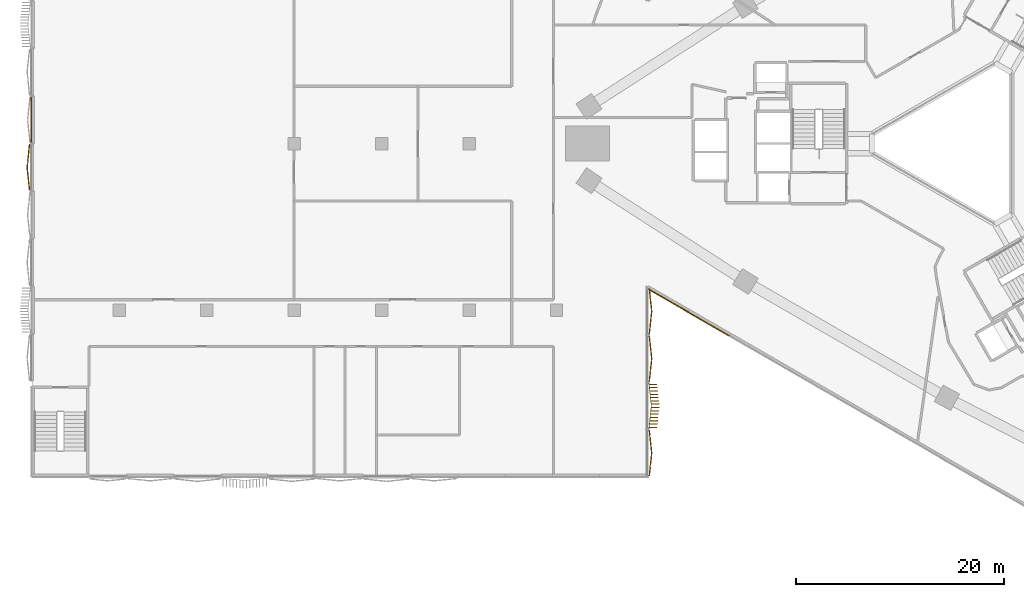
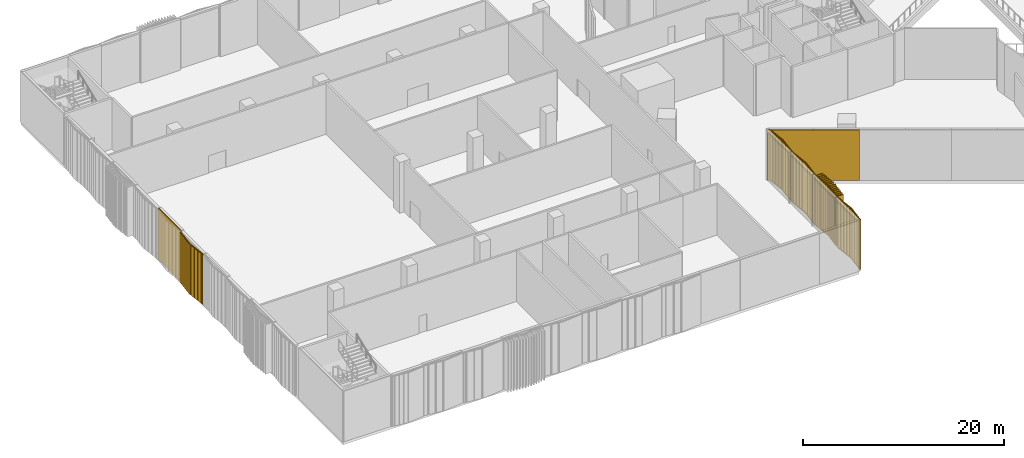
# One storey, part 24 of 32: 7 coverings.
"""IFC4 building model written with IfcOpenShell, lengths in metres."""

import ifcopenshell
import ifcopenshell.guid

model = None  # the IFC model being written
_history = None  # IfcOwnerHistory: only IFC2X3 demands one
_inside = {}  # id of a spatial element -> (the spatial element, [elements in it])
_under = {}  # id of a project, library or spatial element -> (it, [spatial elements below it])
_declared = {}  # id of a project -> (the project, [libraries it declares])
_typed = {}  # id of a type object -> (the type object, [elements of that type])
_made_of = {}  # id of a material, layer set ... -> (it, [elements and type objects made of it])


def new_model(schema):
    """Start an empty IFC model of exactly this schema.

    Asked for "IFC4X3", IfcOpenShell would pick the latest addendum, in which some entities
    have other attributes; the version numbers below select the first issue.
    IFC2X3 requires an IfcOwnerHistory on every rooted entity: one is made here for all.
    """
    global model, _history
    if schema == "IFC4X3":
        model = ifcopenshell.file(schema_version=(4, 3, 0, 0))
    else:
        model = ifcopenshell.file(schema=schema)
    _inside.clear()
    _under.clear()
    _declared.clear()
    _typed.clear()
    _made_of.clear()
    _history = None
    if model.schema == "IFC2X3":
        org = make("IfcOrganization", Name="unknown")
        user = make(
            "IfcPersonAndOrganization",
            ThePerson=make("IfcPerson", FamilyName="unknown"),
            TheOrganization=org,
        )
        app = make(
            "IfcApplication",
            ApplicationDeveloper=org,
            Version="unknown",
            ApplicationFullName="unknown",
            ApplicationIdentifier="unknown",
        )
        _history = make(
            "IfcOwnerHistory",
            OwningUser=user,
            OwningApplication=app,
            ChangeAction="ADDED",
            CreationDate=0,
        )
    return model


def make(cls, **values):
    """One entity of the class cls with the attributes given. An attribute that is None is left unset."""
    return model.create_entity(
        cls, **{name: value for name, value in values.items() if value is not None}
    )


def rooted(cls, **values):
    """An entity with a GlobalId (a new one), such as an element, a storey or a relation."""
    return make(cls, GlobalId=ifcopenshell.guid.new(), OwnerHistory=_history, **values)


def si_unit(unit_type, name, prefix=None):
    """IfcSIUnit, for example si_unit("LENGTHUNIT", "METRE", prefix="MILLI")."""
    return make("IfcSIUnit", UnitType=unit_type, Prefix=prefix, Name=name)


def assignment(units):
    """IfcUnitAssignment: the units of a project."""
    return None if units is None else make("IfcUnitAssignment", Units=units)


def point(xyz):
    """IfcCartesianPoint."""
    return None if xyz is None else make("IfcCartesianPoint", Coordinates=xyz)


def direction(xyz):
    """IfcDirection."""
    return None if xyz is None else make("IfcDirection", DirectionRatios=xyz)


def frame(location, z_axis=None, x_axis=None):
    """IfcAxis2Placement3D, a coordinate frame: its origin and axes. An axis left out is left unset."""
    return make(
        "IfcAxis2Placement3D",
        Location=point(location),
        Axis=direction(z_axis),
        RefDirection=direction(x_axis),
    )


def frame_2d(location, x_axis=None):
    """IfcAxis2Placement2D, a coordinate frame in the plane: its origin and x axis."""
    return make(
        "IfcAxis2Placement2D", Location=point(location), RefDirection=direction(x_axis)
    )


def origin():
    """The frame at (0, 0, 0) with its axes left unset."""
    return frame((0.0, 0.0, 0.0))


def origin_2d():
    """The frame at (0, 0) in the plane with its x axis left unset."""
    return frame_2d((0.0, 0.0))


def place(relative_to, where):
    """IfcLocalPlacement: puts the frame where relative to a parent placement (None: the world)."""
    return make(
        "IfcLocalPlacement", PlacementRelTo=relative_to, RelativePlacement=where
    )


def context(
    kind, dimensions, precision=None, world=None, true_north=None, identifier=None
):
    """IfcGeometricRepresentationContext, for example the 3D "Model" context."""
    return make(
        "IfcGeometricRepresentationContext",
        ContextIdentifier=identifier,
        ContextType=kind,
        CoordinateSpaceDimension=dimensions,
        Precision=precision,
        WorldCoordinateSystem=world,
        TrueNorth=true_north,
    )


def subcontext(parent, identifier, kind, view, scale=None):
    """IfcGeometricRepresentationSubContext, for example "Body" below "Model"."""
    return make(
        "IfcGeometricRepresentationSubContext",
        ContextIdentifier=identifier,
        ContextType=kind,
        ParentContext=parent,
        TargetScale=scale,
        TargetView=view,
    )


def project(units=None, contexts=None):
    """IfcProject with its units and contexts."""
    return rooted(
        "IfcProject",
        Name="project",
        RepresentationContexts=contexts,
        UnitsInContext=assignment(units),
    )


def spatial(cls, under=None, at=None, **own):
    """A site, building, storey or space (cls), placed at a placement, below another one or the project."""
    s = rooted(cls, ObjectPlacement=at, **own)
    if under is not None:
        _under.setdefault(under.id(), (under, []))[1].append(s)
    return s


def profile(cls, at=None, kind="AREA", **sizes):
    """A parametric profile (cls). Its sizes go by their IFC names, for example OverallWidth=200.0."""
    return make(cls, ProfileType=kind, Position=at, **sizes)


def rectangle(**sizes):
    """IfcRectangleProfileDef."""
    return profile("IfcRectangleProfileDef", **sizes)


def extrude(swept, where, along, depth):
    """IfcExtrudedAreaSolid: the profile swept, set in the frame where, extruded along a direction by depth."""
    return make(
        "IfcExtrudedAreaSolid",
        SweptArea=swept,
        Position=where,
        ExtrudedDirection=direction(along),
        Depth=depth,
    )


def shape(context_of_items, identifier, shape_type, items):
    """IfcShapeRepresentation: the items that make up one representation, for example the "Body"."""
    return make(
        "IfcShapeRepresentation",
        ContextOfItems=context_of_items,
        RepresentationIdentifier=identifier,
        RepresentationType=shape_type,
        Items=items,
    )


def source(mapping_origin, context_of_items, identifier, shape_type, items):
    """IfcRepresentationMap: a shape defined once, which mapped items show again and again."""
    return make(
        "IfcRepresentationMap",
        MappingOrigin=mapping_origin,
        MappedRepresentation=shape(context_of_items, identifier, shape_type, items),
    )


def transform(
    local_origin,
    x_axis=None,
    y_axis=None,
    z_axis=None,
    scale=None,
    scale2=None,
    scale3=None,
    uniform=True,
):
    """IfcCartesianTransformationOperator3D, or its non-uniform kind. x_axis, y_axis, z_axis: its Axis1, 2, 3."""
    if uniform:
        return make(
            "IfcCartesianTransformationOperator3D",
            Axis1=direction(x_axis),
            Axis2=direction(y_axis),
            LocalOrigin=point(local_origin),
            Scale=scale,
            Axis3=direction(z_axis),
        )
    return make(
        "IfcCartesianTransformationOperator3DnonUniform",
        Axis1=direction(x_axis),
        Axis2=direction(y_axis),
        LocalOrigin=point(local_origin),
        Scale=scale,
        Axis3=direction(z_axis),
        Scale2=scale2,
        Scale3=scale3,
    )


def mapped(mapping_source, mapping_target):
    """IfcMappedItem: shows the shape of a source again, moved by a transform."""
    return make(
        "IfcMappedItem", MappingSource=mapping_source, MappingTarget=mapping_target
    )


def material(Name=None, Category=None):
    """IfcMaterial."""
    return make("IfcMaterial", Name=Name, Category=Category)


def layer(
    of_material, thickness, ventilated=None, Name=None, Category=None, Priority=None
):
    """IfcMaterialLayer: one layer of a wall or slab, of a material (None: an air gap)."""
    return make(
        "IfcMaterialLayer",
        Material=of_material,
        LayerThickness=thickness,
        IsVentilated=ventilated,
        Name=Name,
        Category=Category,
        Priority=Priority,
    )


def layer_set(layers, Name=None):
    """IfcMaterialLayerSet."""
    return make("IfcMaterialLayerSet", MaterialLayers=layers, LayerSetName=Name)


def made_of(thing, what):
    """Note that an element or type object is made of a material, layer set ...; save() writes the relation."""
    if what is not None:
        _made_of.setdefault(what.id(), (what, []))[1].append(thing)
    return thing


def type_object(cls, material=None, **own):
    """A type object (cls), such as IfcWallType, which elements share."""
    return made_of(rooted(cls, **own), material)


def element(
    cls,
    number,
    at=None,
    inside=None,
    cuts=None,
    type_object=None,
    material=None,
    context=None,
    identifier="Body",
    shape_type=None,
    held_by="IfcProductDefinitionShape",
    body=None,
    shapes=None,
    **own,
):
    """One element of the class cls, such as IfcWall. Its Tag is "e" and its number.

    at: its placement. inside: the storey or other place that contains it. cuts: it is an
    opening in that element (IfcRelVoidsElement). A single representation is given by context,
    identifier, shape_type and body (its items); several are given by shapes. held_by: the class
    of the entity that holds the representations. save() writes the other relations.
    """
    e = rooted(cls, Tag="e%d" % number, ObjectPlacement=at, **own)
    if body is not None:
        shapes = [shape(context, identifier, shape_type, body)]
    if shapes is not None:
        e.Representation = make(held_by, Representations=shapes)
    if inside is not None:
        _inside.setdefault(inside.id(), (inside, []))[1].append(e)
    if cuts is not None:
        rooted(
            "IfcRelVoidsElement", RelatingBuildingElement=cuts, RelatedOpeningElement=e
        )
    if type_object is not None:
        _typed.setdefault(type_object.id(), (type_object, []))[1].append(e)
    return made_of(e, material)


def aggregate(whole, parts):
    """IfcRelAggregates: a whole, such as a stair, and the parts it consists of."""
    return rooted("IfcRelAggregates", RelatingObject=whole, RelatedObjects=parts)


def save(model, path):
    """Write the relations noted so far, then the file.

    IfcRelAggregates (storeys below a building ...), IfcRelContainedInSpatialStructure (elements
    in a storey), IfcRelDefinesByType, IfcRelAssociatesMaterial and IfcRelDeclares: one each for
    every whole, place, type object, material and project.
    """
    for whole, parts in _under.values():
        aggregate(whole, parts)
    for where, things in _inside.values():
        rooted(
            "IfcRelContainedInSpatialStructure",
            RelatedElements=things,
            RelatingStructure=where,
        )
    for kind, things in _typed.values():
        rooted("IfcRelDefinesByType", RelatedObjects=things, RelatingType=kind)
    for what, things in _made_of.values():
        rooted("IfcRelAssociatesMaterial", RelatedObjects=things, RelatingMaterial=what)
    for by, libraries in _declared.values():
        rooted("IfcRelDeclares", RelatingContext=by, RelatedDefinitions=libraries)
    model.write(path)


model = new_model("IFC4")

# Units and contexts
model_context = context("Model", 3, precision=1e-05, world=origin(), true_north=direction((0.0, 1.0)))
body_context = subcontext(model_context, "Body", "Model", "MODEL_VIEW")
ifc_project = project(units=[si_unit("LENGTHUNIT", "METRE"), si_unit("AREAUNIT", "SQUARE_METRE"), si_unit("VOLUMEUNIT", "CUBIC_METRE"), si_unit("PLANEANGLEUNIT", "RADIAN"), si_unit("MASSUNIT", "GRAM", prefix="KILO")], contexts=[model_context])

# Site, building, storey
site_placement = place(None, origin())
site = spatial("IfcSite", under=ifc_project, at=site_placement, CompositionType="ELEMENT")
building_placement = place(site_placement, origin())
building = spatial("IfcBuilding", under=site, at=building_placement, Name="Tamra Quay Hotel Tower", CompositionType="ELEMENT")
storey_placement = place(building_placement, frame((0.0, 0.0, 7.5)))
storey = spatial("IfcBuildingStorey", under=building, at=storey_placement, Name="L01", CompositionType="ELEMENT", Elevation=7.5)

# Coverings
ifc_material_1 = material(Name="Precast concrete M60 terracotta-coloured pierced relief", Category="masonry")
ifc_layer = layer(ifc_material_1, 0.10009765625)
ifc_layer_set = layer_set([ifc_layer], Name="PIERCED RELIEF PANEL 100")
covering_type_1 = type_object("IfcCoveringType", Name="PIERCED RELIEF PANEL 100", PredefinedType="CLADDING", material=ifc_layer_set)
covering_1_placement = place(storey_placement, frame((-26.070556640625, -16.182861328125, 0.0), z_axis=(0.0, 0.0, 1.0), x_axis=(0.866025403784, -0.5, 0.0)))
element("IfcCovering", 1, at=covering_1_placement, inside=storey, type_object=covering_type_1, Name="Relief panel L01.SW.00", PredefinedType="CLADDING", context=body_context, shape_type="SweptSolid", body=[
    extrude(rectangle(XDim=9.112548828125, YDim=0.10009765625, at=origin_2d()), origin(), (0.0, 0.0, 1.0), 6.14990234375),
])
covering_2_placement = place(storey_placement, frame((-89.14990234375, 2.28564453125, 0.0), z_axis=(0.0, 0.0, 1.0), x_axis=(0.0, -1.0, 0.0)))
element("IfcCovering", 2, at=covering_2_placement, inside=storey, type_object=covering_type_1, Name="Relief panel L01.W.04", PredefinedType="CLADDING", context=body_context, shape_type="SweptSolid", body=[
    extrude(rectangle(XDim=4.551513671875, YDim=0.10009765625, at=origin_2d()), origin(), (0.0, 0.0, 1.0), 6.14990234375),
])
ifc_material_2 = material(Name="Terracotta baguette extruded", Category="masonry")
covering_type_2 = type_object("IfcCoveringType", Name="BAGUETTE SCREEN PODIUM-SHALLOW H6150", PredefinedType="USERDEFINED", material=ifc_material_2)
shared_shape_1 = source(origin(), body_context, "Body", "SweptSolid", [
    extrude(rectangle(XDim=2.234619140625, YDim=0.06005859375, at=frame_2d((1.1171875, 0.030029296875))), frame((-2.228759765625, -0.0576171875, -0.1201171875), z_axis=(0.0, 0.0, 1.0), x_axis=(0.994521895368, -0.104528463268, 0.0)), (0.0, 0.0, 1.0), 0.1201171875),
    extrude(rectangle(XDim=2.234619140625, YDim=0.06005859375, at=frame_2d((1.1171875, 0.030029296875))), frame((-2.228759765625, -0.0576171875, -6.14990234375), z_axis=(0.0, 0.0, 1.0), x_axis=(0.994521895368, -0.104528463268, 0.0)), (0.0, 0.0, 1.0), 0.1201171875),
    extrude(rectangle(XDim=0.094970703125, YDim=0.10009765625, at=frame_2d((0.04736328125, 0.050048828125))), frame((-2.219482421875, -0.13330078125, -6.090087890625)), (0.0, 0.0, 1.0), 6.030029296875),
    extrude(rectangle(XDim=0.094970703125, YDim=0.10009765625, at=frame_2d((0.04736328125, 0.050048828125))), frame((-2.118408203125, -0.14404296875, -6.090087890625)), (0.0, 0.0, 1.0), 6.030029296875),
    extrude(rectangle(XDim=0.094970703125, YDim=0.10009765625, at=frame_2d((0.04736328125, 0.050048828125))), frame((-2.017333984375, -0.154541015625, -6.090087890625)), (0.0, 0.0, 1.0), 6.030029296875),
    extrude(rectangle(XDim=0.094970703125, YDim=0.10009765625, at=frame_2d((0.04736328125, 0.050048828125))), frame((-1.91650390625, -0.1650390625, -6.090087890625)), (0.0, 0.0, 1.0), 6.030029296875),
    extrude(rectangle(XDim=0.094970703125, YDim=0.10009765625, at=frame_2d((0.04736328125, 0.050048828125))), frame((-1.8154296875, -0.17578125, -6.090087890625)), (0.0, 0.0, 1.0), 6.030029296875),
    extrude(rectangle(XDim=0.094970703125, YDim=0.10009765625, at=frame_2d((0.04736328125, 0.050048828125))), frame((-1.71435546875, -0.186279296875, -6.090087890625)), (0.0, 0.0, 1.0), 6.030029296875),
    extrude(rectangle(XDim=0.094970703125, YDim=0.10009765625, at=frame_2d((0.04736328125, 0.050048828125))), frame((-1.61328125, -0.197021484375, -6.090087890625)), (0.0, 0.0, 1.0), 6.030029296875),
    extrude(rectangle(XDim=0.094970703125, YDim=0.10009765625, at=frame_2d((0.04736328125, 0.050048828125))), frame((-1.512451171875, -0.20751953125, -6.090087890625)), (0.0, 0.0, 1.0), 6.030029296875),
    extrude(rectangle(XDim=0.094970703125, YDim=0.10009765625, at=frame_2d((0.04736328125, 0.050048828125))), frame((-1.411376953125, -0.21826171875, -6.090087890625)), (0.0, 0.0, 1.0), 6.030029296875),
    extrude(rectangle(XDim=0.094970703125, YDim=0.10009765625, at=frame_2d((0.04736328125, 0.050048828125))), frame((-1.310302734375, -0.228759765625, -6.090087890625)), (0.0, 0.0, 1.0), 6.030029296875),
    extrude(rectangle(XDim=0.094970703125, YDim=0.10009765625, at=frame_2d((0.04736328125, 0.050048828125))), frame((-1.209228515625, -0.239501953125, -6.090087890625)), (0.0, 0.0, 1.0), 6.030029296875),
    extrude(rectangle(XDim=0.094970703125, YDim=0.10009765625, at=frame_2d((0.04736328125, 0.050048828125))), frame((-1.108154296875, -0.25, -6.090087890625)), (0.0, 0.0, 1.0), 6.030029296875),
    extrude(rectangle(XDim=0.094970703125, YDim=0.10009765625, at=frame_2d((0.04736328125, 0.050048828125))), frame((-1.00732421875, -0.2607421875, -6.090087890625)), (0.0, 0.0, 1.0), 6.030029296875),
    extrude(rectangle(XDim=0.094970703125, YDim=0.10009765625, at=frame_2d((0.04736328125, 0.050048828125))), frame((-0.90625, -0.271240234375, -6.090087890625)), (0.0, 0.0, 1.0), 6.030029296875),
    extrude(rectangle(XDim=0.094970703125, YDim=0.10009765625, at=frame_2d((0.04736328125, 0.050048828125))), frame((-0.80517578125, -0.281982421875, -6.090087890625)), (0.0, 0.0, 1.0), 6.030029296875),
    extrude(rectangle(XDim=0.094970703125, YDim=0.10009765625, at=frame_2d((0.04736328125, 0.050048828125))), frame((-0.7041015625, -0.29248046875, -6.090087890625)), (0.0, 0.0, 1.0), 6.030029296875),
    extrude(rectangle(XDim=0.094970703125, YDim=0.10009765625, at=frame_2d((0.04736328125, 0.050048828125))), frame((-0.60302734375, -0.30322265625, -6.090087890625)), (0.0, 0.0, 1.0), 6.030029296875),
    extrude(rectangle(XDim=0.094970703125, YDim=0.10009765625, at=frame_2d((0.04736328125, 0.050048828125))), frame((-0.502197265625, -0.313720703125, -6.090087890625)), (0.0, 0.0, 1.0), 6.030029296875),
    extrude(rectangle(XDim=0.094970703125, YDim=0.10009765625, at=frame_2d((0.04736328125, 0.050048828125))), frame((-0.401123046875, -0.324462890625, -6.090087890625)), (0.0, 0.0, 1.0), 6.030029296875),
    extrude(rectangle(XDim=0.094970703125, YDim=0.10009765625, at=frame_2d((0.04736328125, 0.050048828125))), frame((-0.300048828125, -0.3349609375, -6.090087890625)), (0.0, 0.0, 1.0), 6.030029296875),
    extrude(rectangle(XDim=0.094970703125, YDim=0.10009765625, at=frame_2d((0.04736328125, 0.050048828125))), frame((-0.198974609375, -0.345703125, -6.090087890625)), (0.0, 0.0, 1.0), 6.030029296875),
    extrude(rectangle(XDim=0.094970703125, YDim=0.10009765625, at=frame_2d((0.04736328125, 0.050048828125))), frame((-0.097900390625, -0.356201171875, -6.090087890625)), (0.0, 0.0, 1.0), 6.030029296875),
    extrude(rectangle(XDim=2.234619140625, YDim=0.06005859375, at=frame_2d((1.1171875, 0.030029296875))), frame((0.00634765625, -0.291259765625, -0.1201171875), z_axis=(0.0, 0.0, 1.0), x_axis=(0.994521895368, 0.104528463268, 0.0)), (0.0, 0.0, 1.0), 0.1201171875),
    extrude(rectangle(XDim=2.234619140625, YDim=0.06005859375, at=frame_2d((1.1171875, 0.030029296875))), frame((0.00634765625, -0.291259765625, -6.14990234375), z_axis=(0.0, 0.0, 1.0), x_axis=(0.994521895368, 0.104528463268, 0.0)), (0.0, 0.0, 1.0), 0.1201171875),
    extrude(rectangle(XDim=0.094970703125, YDim=0.10009765625, at=frame_2d((0.04736328125, 0.050048828125))), frame((0.0029296875, -0.356201171875, -6.090087890625)), (0.0, 0.0, 1.0), 6.030029296875),
    extrude(rectangle(XDim=0.094970703125, YDim=0.10009765625, at=frame_2d((0.04736328125, 0.050048828125))), frame((0.10400390625, -0.345703125, -6.090087890625)), (0.0, 0.0, 1.0), 6.030029296875),
    extrude(rectangle(XDim=0.094970703125, YDim=0.10009765625, at=frame_2d((0.04736328125, 0.050048828125))), frame((0.205078125, -0.3349609375, -6.090087890625)), (0.0, 0.0, 1.0), 6.030029296875),
    extrude(rectangle(XDim=0.094970703125, YDim=0.10009765625, at=frame_2d((0.04736328125, 0.050048828125))), frame((0.30615234375, -0.324462890625, -6.090087890625)), (0.0, 0.0, 1.0), 6.030029296875),
    extrude(rectangle(XDim=0.094970703125, YDim=0.10009765625, at=frame_2d((0.04736328125, 0.050048828125))), frame((0.406982421875, -0.313720703125, -6.090087890625)), (0.0, 0.0, 1.0), 6.030029296875),
    extrude(rectangle(XDim=0.094970703125, YDim=0.10009765625, at=frame_2d((0.04736328125, 0.050048828125))), frame((0.508056640625, -0.30322265625, -6.090087890625)), (0.0, 0.0, 1.0), 6.030029296875),
    extrude(rectangle(XDim=0.094970703125, YDim=0.10009765625, at=frame_2d((0.04736328125, 0.050048828125))), frame((0.609130859375, -0.29248046875, -6.090087890625)), (0.0, 0.0, 1.0), 6.030029296875),
    extrude(rectangle(XDim=0.094970703125, YDim=0.10009765625, at=frame_2d((0.04736328125, 0.050048828125))), frame((0.710205078125, -0.281982421875, -6.090087890625)), (0.0, 0.0, 1.0), 6.030029296875),
    extrude(rectangle(XDim=0.094970703125, YDim=0.10009765625, at=frame_2d((0.04736328125, 0.050048828125))), frame((0.811279296875, -0.271240234375, -6.090087890625)), (0.0, 0.0, 1.0), 6.030029296875),
    extrude(rectangle(XDim=0.094970703125, YDim=0.10009765625, at=frame_2d((0.04736328125, 0.050048828125))), frame((0.912109375, -0.2607421875, -6.090087890625)), (0.0, 0.0, 1.0), 6.030029296875),
    extrude(rectangle(XDim=0.094970703125, YDim=0.10009765625, at=frame_2d((0.04736328125, 0.050048828125))), frame((1.01318359375, -0.25, -6.090087890625)), (0.0, 0.0, 1.0), 6.030029296875),
    extrude(rectangle(XDim=0.094970703125, YDim=0.10009765625, at=frame_2d((0.04736328125, 0.050048828125))), frame((1.1142578125, -0.239501953125, -6.090087890625)), (0.0, 0.0, 1.0), 6.030029296875),
    extrude(rectangle(XDim=0.094970703125, YDim=0.10009765625, at=frame_2d((0.04736328125, 0.050048828125))), frame((1.21533203125, -0.228759765625, -6.090087890625)), (0.0, 0.0, 1.0), 6.030029296875),
    extrude(rectangle(XDim=0.094970703125, YDim=0.10009765625, at=frame_2d((0.04736328125, 0.050048828125))), frame((1.31640625, -0.21826171875, -6.090087890625)), (0.0, 0.0, 1.0), 6.030029296875),
    extrude(rectangle(XDim=0.094970703125, YDim=0.10009765625, at=frame_2d((0.04736328125, 0.050048828125))), frame((1.417236328125, -0.20751953125, -6.090087890625)), (0.0, 0.0, 1.0), 6.030029296875),
    extrude(rectangle(XDim=0.094970703125, YDim=0.10009765625, at=frame_2d((0.04736328125, 0.050048828125))), frame((1.518310546875, -0.197021484375, -6.090087890625)), (0.0, 0.0, 1.0), 6.030029296875),
    extrude(rectangle(XDim=0.094970703125, YDim=0.10009765625, at=frame_2d((0.04736328125, 0.050048828125))), frame((1.619384765625, -0.186279296875, -6.090087890625)), (0.0, 0.0, 1.0), 6.030029296875),
    extrude(rectangle(XDim=0.094970703125, YDim=0.10009765625, at=frame_2d((0.04736328125, 0.050048828125))), frame((1.720458984375, -0.17578125, -6.090087890625)), (0.0, 0.0, 1.0), 6.030029296875),
    extrude(rectangle(XDim=0.094970703125, YDim=0.10009765625, at=frame_2d((0.04736328125, 0.050048828125))), frame((1.821533203125, -0.1650390625, -6.090087890625)), (0.0, 0.0, 1.0), 6.030029296875),
    extrude(rectangle(XDim=0.094970703125, YDim=0.10009765625, at=frame_2d((0.04736328125, 0.050048828125))), frame((1.92236328125, -0.154541015625, -6.090087890625)), (0.0, 0.0, 1.0), 6.030029296875),
    extrude(rectangle(XDim=0.094970703125, YDim=0.10009765625, at=frame_2d((0.04736328125, 0.050048828125))), frame((2.0234375, -0.14404296875, -6.090087890625)), (0.0, 0.0, 1.0), 6.030029296875),
    extrude(rectangle(XDim=0.094970703125, YDim=0.10009765625, at=frame_2d((0.04736328125, 0.050048828125))), frame((2.12451171875, -0.13330078125, -6.090087890625)), (0.0, 0.0, 1.0), 6.030029296875),
])
for number, where, z_axis, x_axis, name in (
    (3, (-29.85205078125, -29.73193359375, 6.14990234375), (0.0, 0.0, 1.0), (0.0, 1.0, 0.0), "Baguette screen L01.E.f00"),
    (4, (-29.85205078125, -20.66015625, 6.14990234375), (0.0, 0.0, 1.0), (0.0, 1.0, 0.0), "Baguette screen L01.E.f02"),
    (5, (-29.85205078125, -16.124267578125, 6.14990234375), (0.0, 0.0, 1.0), (0.0, 1.0, 0.0), "Baguette screen L01.E.f03"),
):
    element("IfcCovering", number, at=place(storey_placement, frame(where, z_axis=z_axis, x_axis=x_axis)), inside=storey, type_object=covering_type_2, Name=name, ObjectType="BAGUETTE SCREEN", PredefinedType="USERDEFINED", context=body_context, shape_type="MappedRepresentation", body=[
        mapped(shared_shape_1, transform((0.0, 0.0, 0.0), scale=1.0)),
    ])
covering_type_3 = type_object("IfcCoveringType", Name="BAGUETTE SCREEN PODIUM-DEEP H6150", PredefinedType="USERDEFINED", material=ifc_material_2)
shared_shape_2 = source(origin(), body_context, "Body", "SweptSolid", [
    extrude(rectangle(XDim=2.234619140625, YDim=0.06005859375, at=frame_2d((1.1171875, 0.030029296875))), frame((-2.228759765625, -0.0576171875, -0.1201171875), z_axis=(0.0, 0.0, 1.0), x_axis=(0.994521895368, -0.104528463268, 0.0)), (0.0, 0.0, 1.0), 0.1201171875),
    extrude(rectangle(XDim=2.234619140625, YDim=0.06005859375, at=frame_2d((1.1171875, 0.030029296875))), frame((-2.228759765625, -0.0576171875, -6.14990234375), z_axis=(0.0, 0.0, 1.0), x_axis=(0.994521895368, -0.104528463268, 0.0)), (0.0, 0.0, 1.0), 0.1201171875),
    extrude(rectangle(XDim=0.10009765625, YDim=0.780029296875, at=frame_2d((0.050048828125, 0.39013671875))), frame((-2.11376953125, -0.82470703125, -6.090087890625)), (0.0, 0.0, 1.0), 6.030029296875),
    extrude(rectangle(XDim=0.10009765625, YDim=0.780029296875, at=frame_2d((0.050048828125, 0.39013671875))), frame((-1.796142578125, -0.858154296875, -6.090087890625)), (0.0, 0.0, 1.0), 6.030029296875),
    extrude(rectangle(XDim=0.10009765625, YDim=0.780029296875, at=frame_2d((0.050048828125, 0.39013671875))), frame((-1.478759765625, -0.891357421875, -6.090087890625)), (0.0, 0.0, 1.0), 6.030029296875),
    extrude(rectangle(XDim=0.10009765625, YDim=0.780029296875, at=frame_2d((0.050048828125, 0.39013671875))), frame((-1.1611328125, -0.9248046875, -6.090087890625)), (0.0, 0.0, 1.0), 6.030029296875),
    extrude(rectangle(XDim=0.10009765625, YDim=0.780029296875, at=frame_2d((0.050048828125, 0.39013671875))), frame((-0.84375, -0.958251953125, -6.090087890625)), (0.0, 0.0, 1.0), 6.030029296875),
    extrude(rectangle(XDim=0.10009765625, YDim=0.780029296875, at=frame_2d((0.050048828125, 0.39013671875))), frame((-0.5263671875, -0.991455078125, -6.090087890625)), (0.0, 0.0, 1.0), 6.030029296875),
    extrude(rectangle(XDim=0.10009765625, YDim=0.780029296875, at=frame_2d((0.050048828125, 0.39013671875))), frame((-0.208740234375, -1.02490234375, -6.090087890625)), (0.0, 0.0, 1.0), 6.030029296875),
    extrude(rectangle(XDim=2.234619140625, YDim=0.06005859375, at=frame_2d((1.1171875, 0.030029296875))), frame((0.00634765625, -0.291259765625, -0.1201171875), z_axis=(0.0, 0.0, 1.0), x_axis=(0.994521895368, 0.104528463268, 0.0)), (0.0, 0.0, 1.0), 0.1201171875),
    extrude(rectangle(XDim=2.234619140625, YDim=0.06005859375, at=frame_2d((1.1171875, 0.030029296875))), frame((0.00634765625, -0.291259765625, -6.14990234375), z_axis=(0.0, 0.0, 1.0), x_axis=(0.994521895368, 0.104528463268, 0.0)), (0.0, 0.0, 1.0), 0.1201171875),
    extrude(rectangle(XDim=0.10009765625, YDim=0.780029296875, at=frame_2d((0.050048828125, 0.39013671875))), frame((0.108642578125, -1.02490234375, -6.090087890625)), (0.0, 0.0, 1.0), 6.030029296875),
    extrude(rectangle(XDim=0.10009765625, YDim=0.780029296875, at=frame_2d((0.050048828125, 0.39013671875))), frame((0.42626953125, -0.991455078125, -6.090087890625)), (0.0, 0.0, 1.0), 6.030029296875),
    extrude(rectangle(XDim=0.10009765625, YDim=0.780029296875, at=frame_2d((0.050048828125, 0.39013671875))), frame((0.74365234375, -0.958251953125, -6.090087890625)), (0.0, 0.0, 1.0), 6.030029296875),
    extrude(rectangle(XDim=0.10009765625, YDim=0.780029296875, at=frame_2d((0.050048828125, 0.39013671875))), frame((1.061279296875, -0.9248046875, -6.090087890625)), (0.0, 0.0, 1.0), 6.030029296875),
    extrude(rectangle(XDim=0.10009765625, YDim=0.780029296875, at=frame_2d((0.050048828125, 0.39013671875))), frame((1.378662109375, -0.891357421875, -6.090087890625)), (0.0, 0.0, 1.0), 6.030029296875),
    extrude(rectangle(XDim=0.10009765625, YDim=0.780029296875, at=frame_2d((0.050048828125, 0.39013671875))), frame((1.6962890625, -0.858154296875, -6.090087890625)), (0.0, 0.0, 1.0), 6.030029296875),
    extrude(rectangle(XDim=0.10009765625, YDim=0.780029296875, at=frame_2d((0.050048828125, 0.39013671875))), frame((2.013671875, -0.82470703125, -6.090087890625)), (0.0, 0.0, 1.0), 6.030029296875),
])
covering_3_placement = place(storey_placement, frame((-29.85205078125, -25.196044921875, 6.14990234375), z_axis=(0.0, 0.0, 1.0), x_axis=(0.0, 1.0, 0.0)))
element("IfcCovering", 6, at=covering_3_placement, inside=storey, type_object=covering_type_3, Name="Baguette screen L01.E.f01", ObjectType="BAGUETTE SCREEN", PredefinedType="USERDEFINED", context=body_context, shape_type="MappedRepresentation", body=[
    mapped(shared_shape_2, transform((0.0, 0.0, 0.0), scale=1.0)),
])
shared_shape_3 = source(origin(), body_context, "Body", "SweptSolid", [
    extrude(rectangle(XDim=2.2548828125, YDim=0.06005859375, at=frame_2d((1.12744140625, 0.030029296875))), frame((-2.248779296875, -0.0576171875, -0.1201171875), z_axis=(0.0, 0.0, 1.0), x_axis=(0.994521895368, -0.104528463268, 0.0)), (0.0, 0.0, 1.0), 0.1201171875),
    extrude(rectangle(XDim=2.2548828125, YDim=0.06005859375, at=frame_2d((1.12744140625, 0.030029296875))), frame((-2.248779296875, -0.0576171875, -6.14990234375), z_axis=(0.0, 0.0, 1.0), x_axis=(0.994521895368, -0.104528463268, 0.0)), (0.0, 0.0, 1.0), 0.1201171875),
    extrude(rectangle(XDim=0.094970703125, YDim=0.10009765625, at=frame_2d((0.04736328125, 0.050048828125))), frame((-2.2412109375, -0.133056640625, -6.090087890625)), (0.0, 0.0, 1.0), 6.030029296875),
    extrude(rectangle(XDim=0.094970703125, YDim=0.10009765625, at=frame_2d((0.04736328125, 0.050048828125))), frame((-2.143798828125, -0.143310546875, -6.090087890625)), (0.0, 0.0, 1.0), 6.030029296875),
    extrude(rectangle(XDim=0.094970703125, YDim=0.10009765625, at=frame_2d((0.04736328125, 0.050048828125))), frame((-2.046142578125, -0.153564453125, -6.090087890625)), (0.0, 0.0, 1.0), 6.030029296875),
    extrude(rectangle(XDim=0.094970703125, YDim=0.10009765625, at=frame_2d((0.04736328125, 0.050048828125))), frame((-1.94873046875, -0.163818359375, -6.090087890625)), (0.0, 0.0, 1.0), 6.030029296875),
    extrude(rectangle(XDim=0.094970703125, YDim=0.10009765625, at=frame_2d((0.04736328125, 0.050048828125))), frame((-1.851318359375, -0.174072265625, -6.090087890625)), (0.0, 0.0, 1.0), 6.030029296875),
    extrude(rectangle(XDim=0.094970703125, YDim=0.10009765625, at=frame_2d((0.04736328125, 0.050048828125))), frame((-1.753662109375, -0.184326171875, -6.090087890625)), (0.0, 0.0, 1.0), 6.030029296875),
    extrude(rectangle(XDim=0.094970703125, YDim=0.10009765625, at=frame_2d((0.04736328125, 0.050048828125))), frame((-1.65625, -0.194580078125, -6.090087890625)), (0.0, 0.0, 1.0), 6.030029296875),
    extrude(rectangle(XDim=0.094970703125, YDim=0.10009765625, at=frame_2d((0.04736328125, 0.050048828125))), frame((-1.558837890625, -0.204833984375, -6.090087890625)), (0.0, 0.0, 1.0), 6.030029296875),
    extrude(rectangle(XDim=0.094970703125, YDim=0.10009765625, at=frame_2d((0.04736328125, 0.050048828125))), frame((-1.461181640625, -0.215087890625, -6.090087890625)), (0.0, 0.0, 1.0), 6.030029296875),
    extrude(rectangle(XDim=0.094970703125, YDim=0.10009765625, at=frame_2d((0.04736328125, 0.050048828125))), frame((-1.36376953125, -0.225341796875, -6.090087890625)), (0.0, 0.0, 1.0), 6.030029296875),
    extrude(rectangle(XDim=0.094970703125, YDim=0.10009765625, at=frame_2d((0.04736328125, 0.050048828125))), frame((-1.266357421875, -0.235595703125, -6.090087890625)), (0.0, 0.0, 1.0), 6.030029296875),
    extrude(rectangle(XDim=0.094970703125, YDim=0.10009765625, at=frame_2d((0.04736328125, 0.050048828125))), frame((-1.168701171875, -0.245849609375, -6.090087890625)), (0.0, 0.0, 1.0), 6.030029296875),
    extrude(rectangle(XDim=0.094970703125, YDim=0.10009765625, at=frame_2d((0.04736328125, 0.050048828125))), frame((-1.0712890625, -0.256103515625, -6.090087890625)), (0.0, 0.0, 1.0), 6.030029296875),
    extrude(rectangle(XDim=0.094970703125, YDim=0.10009765625, at=frame_2d((0.04736328125, 0.050048828125))), frame((-0.9736328125, -0.266357421875, -6.090087890625)), (0.0, 0.0, 1.0), 6.030029296875),
    extrude(rectangle(XDim=0.094970703125, YDim=0.10009765625, at=frame_2d((0.04736328125, 0.050048828125))), frame((-0.876220703125, -0.276611328125, -6.090087890625)), (0.0, 0.0, 1.0), 6.030029296875),
    extrude(rectangle(XDim=0.094970703125, YDim=0.10009765625, at=frame_2d((0.04736328125, 0.050048828125))), frame((-0.77880859375, -0.286865234375, -6.090087890625)), (0.0, 0.0, 1.0), 6.030029296875),
    extrude(rectangle(XDim=0.094970703125, YDim=0.10009765625, at=frame_2d((0.04736328125, 0.050048828125))), frame((-0.68115234375, -0.297119140625, -6.090087890625)), (0.0, 0.0, 1.0), 6.030029296875),
    extrude(rectangle(XDim=0.094970703125, YDim=0.10009765625, at=frame_2d((0.04736328125, 0.050048828125))), frame((-0.583740234375, -0.307373046875, -6.090087890625)), (0.0, 0.0, 1.0), 6.030029296875),
    extrude(rectangle(XDim=0.094970703125, YDim=0.10009765625, at=frame_2d((0.04736328125, 0.050048828125))), frame((-0.486328125, -0.317626953125, -6.090087890625)), (0.0, 0.0, 1.0), 6.030029296875),
    extrude(rectangle(XDim=0.094970703125, YDim=0.10009765625, at=frame_2d((0.04736328125, 0.050048828125))), frame((-0.388671875, -0.327880859375, -6.090087890625)), (0.0, 0.0, 1.0), 6.030029296875),
    extrude(rectangle(XDim=0.094970703125, YDim=0.10009765625, at=frame_2d((0.04736328125, 0.050048828125))), frame((-0.291259765625, -0.338134765625, -6.090087890625)), (0.0, 0.0, 1.0), 6.030029296875),
    extrude(rectangle(XDim=0.094970703125, YDim=0.10009765625, at=frame_2d((0.04736328125, 0.050048828125))), frame((-0.19384765625, -0.348388671875, -6.090087890625)), (0.0, 0.0, 1.0), 6.030029296875),
    extrude(rectangle(XDim=0.094970703125, YDim=0.10009765625, at=frame_2d((0.04736328125, 0.050048828125))), frame((-0.09619140625, -0.358642578125, -6.090087890625)), (0.0, 0.0, 1.0), 6.030029296875),
    extrude(rectangle(XDim=2.2548828125, YDim=0.06005859375, at=frame_2d((1.12744140625, 0.030029296875))), frame((0.00634765625, -0.29345703125, -0.1201171875), z_axis=(0.0, 0.0, 1.0), x_axis=(0.994521895368, 0.104528463268, 0.0)), (0.0, 0.0, 1.0), 0.1201171875),
    extrude(rectangle(XDim=2.2548828125, YDim=0.06005859375, at=frame_2d((1.12744140625, 0.030029296875))), frame((0.00634765625, -0.29345703125, -6.14990234375), z_axis=(0.0, 0.0, 1.0), x_axis=(0.994521895368, 0.104528463268, 0.0)), (0.0, 0.0, 1.0), 0.1201171875),
    extrude(rectangle(XDim=0.094970703125, YDim=0.10009765625, at=frame_2d((0.04736328125, 0.050048828125))), frame((0.001220703125, -0.358642578125, -6.090087890625)), (0.0, 0.0, 1.0), 6.030029296875),
    extrude(rectangle(XDim=0.094970703125, YDim=0.10009765625, at=frame_2d((0.04736328125, 0.050048828125))), frame((0.0986328125, -0.348388671875, -6.090087890625)), (0.0, 0.0, 1.0), 6.030029296875),
    extrude(rectangle(XDim=0.094970703125, YDim=0.10009765625, at=frame_2d((0.04736328125, 0.050048828125))), frame((0.1962890625, -0.338134765625, -6.090087890625)), (0.0, 0.0, 1.0), 6.030029296875),
    extrude(rectangle(XDim=0.094970703125, YDim=0.10009765625, at=frame_2d((0.04736328125, 0.050048828125))), frame((0.293701171875, -0.327880859375, -6.090087890625)), (0.0, 0.0, 1.0), 6.030029296875),
    extrude(rectangle(XDim=0.094970703125, YDim=0.10009765625, at=frame_2d((0.04736328125, 0.050048828125))), frame((0.391357421875, -0.317626953125, -6.090087890625)), (0.0, 0.0, 1.0), 6.030029296875),
    extrude(rectangle(XDim=0.094970703125, YDim=0.10009765625, at=frame_2d((0.04736328125, 0.050048828125))), frame((0.48876953125, -0.307373046875, -6.090087890625)), (0.0, 0.0, 1.0), 6.030029296875),
    extrude(rectangle(XDim=0.094970703125, YDim=0.10009765625, at=frame_2d((0.04736328125, 0.050048828125))), frame((0.586181640625, -0.297119140625, -6.090087890625)), (0.0, 0.0, 1.0), 6.030029296875),
    extrude(rectangle(XDim=0.094970703125, YDim=0.10009765625, at=frame_2d((0.04736328125, 0.050048828125))), frame((0.683837890625, -0.286865234375, -6.090087890625)), (0.0, 0.0, 1.0), 6.030029296875),
    extrude(rectangle(XDim=0.094970703125, YDim=0.10009765625, at=frame_2d((0.04736328125, 0.050048828125))), frame((0.78125, -0.276611328125, -6.090087890625)), (0.0, 0.0, 1.0), 6.030029296875),
    extrude(rectangle(XDim=0.094970703125, YDim=0.10009765625, at=frame_2d((0.04736328125, 0.050048828125))), frame((0.878662109375, -0.266357421875, -6.090087890625)), (0.0, 0.0, 1.0), 6.030029296875),
    extrude(rectangle(XDim=0.094970703125, YDim=0.10009765625, at=frame_2d((0.04736328125, 0.050048828125))), frame((0.976318359375, -0.256103515625, -6.090087890625)), (0.0, 0.0, 1.0), 6.030029296875),
    extrude(rectangle(XDim=0.094970703125, YDim=0.10009765625, at=frame_2d((0.04736328125, 0.050048828125))), frame((1.07373046875, -0.245849609375, -6.090087890625)), (0.0, 0.0, 1.0), 6.030029296875),
    extrude(rectangle(XDim=0.094970703125, YDim=0.10009765625, at=frame_2d((0.04736328125, 0.050048828125))), frame((1.171142578125, -0.235595703125, -6.090087890625)), (0.0, 0.0, 1.0), 6.030029296875),
    extrude(rectangle(XDim=0.094970703125, YDim=0.10009765625, at=frame_2d((0.04736328125, 0.050048828125))), frame((1.268798828125, -0.225341796875, -6.090087890625)), (0.0, 0.0, 1.0), 6.030029296875),
    extrude(rectangle(XDim=0.094970703125, YDim=0.10009765625, at=frame_2d((0.04736328125, 0.050048828125))), frame((1.3662109375, -0.215087890625, -6.090087890625)), (0.0, 0.0, 1.0), 6.030029296875),
    extrude(rectangle(XDim=0.094970703125, YDim=0.10009765625, at=frame_2d((0.04736328125, 0.050048828125))), frame((1.4638671875, -0.204833984375, -6.090087890625)), (0.0, 0.0, 1.0), 6.030029296875),
    extrude(rectangle(XDim=0.094970703125, YDim=0.10009765625, at=frame_2d((0.04736328125, 0.050048828125))), frame((1.561279296875, -0.194580078125, -6.090087890625)), (0.0, 0.0, 1.0), 6.030029296875),
    extrude(rectangle(XDim=0.094970703125, YDim=0.10009765625, at=frame_2d((0.04736328125, 0.050048828125))), frame((1.65869140625, -0.184326171875, -6.090087890625)), (0.0, 0.0, 1.0), 6.030029296875),
    extrude(rectangle(XDim=0.094970703125, YDim=0.10009765625, at=frame_2d((0.04736328125, 0.050048828125))), frame((1.75634765625, -0.174072265625, -6.090087890625)), (0.0, 0.0, 1.0), 6.030029296875),
    extrude(rectangle(XDim=0.094970703125, YDim=0.10009765625, at=frame_2d((0.04736328125, 0.050048828125))), frame((1.853759765625, -0.163818359375, -6.090087890625)), (0.0, 0.0, 1.0), 6.030029296875),
    extrude(rectangle(XDim=0.094970703125, YDim=0.10009765625, at=frame_2d((0.04736328125, 0.050048828125))), frame((1.951171875, -0.153564453125, -6.090087890625)), (0.0, 0.0, 1.0), 6.030029296875),
    extrude(rectangle(XDim=0.094970703125, YDim=0.10009765625, at=frame_2d((0.04736328125, 0.050048828125))), frame((2.048828125, -0.143310546875, -6.090087890625)), (0.0, 0.0, 1.0), 6.030029296875),
    extrude(rectangle(XDim=0.094970703125, YDim=0.10009765625, at=frame_2d((0.04736328125, 0.050048828125))), frame((2.146240234375, -0.133056640625, -6.090087890625)), (0.0, 0.0, 1.0), 6.030029296875),
])
covering_4_placement = place(storey_placement, frame((-89.248046875, -2.28564453125, 6.14990234375), z_axis=(0.0, 0.0, 1.0), x_axis=(0.0, -1.0, 0.0)))
element("IfcCovering", 7, at=covering_4_placement, inside=storey, type_object=covering_type_2, Name="Baguette screen L01.W.f02", ObjectType="BAGUETTE SCREEN", PredefinedType="USERDEFINED", context=body_context, shape_type="MappedRepresentation", body=[
    mapped(shared_shape_3, transform((0.0, 0.0, 0.0), scale=1.0)),
])

save(model, "model.ifc")
